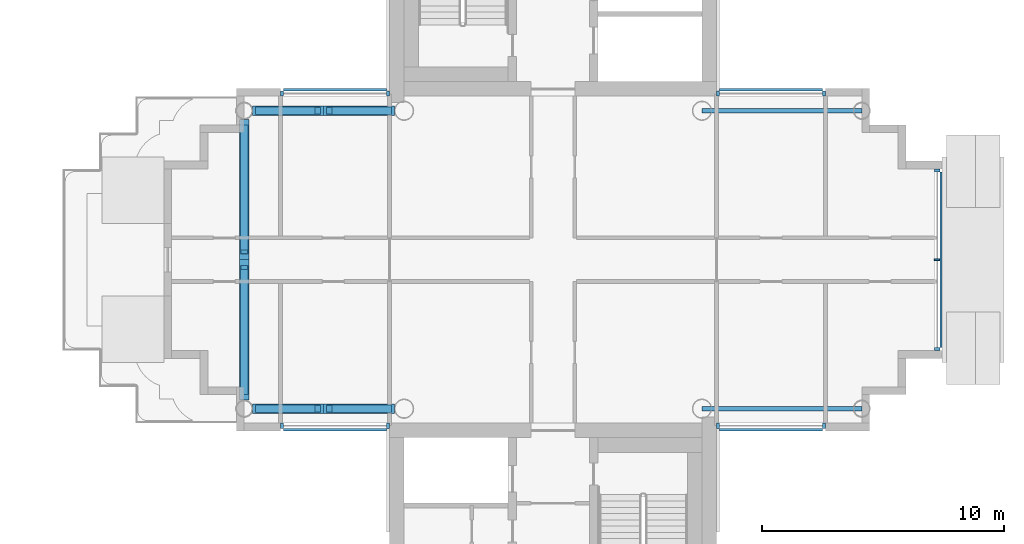
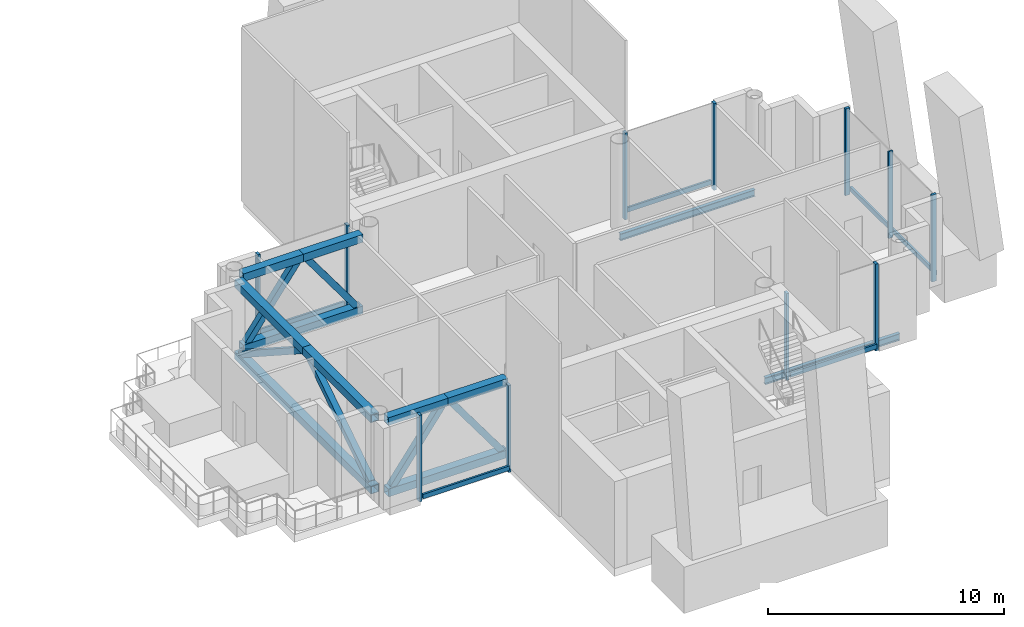
# One storey, part 4 of 16: 31 members, 2 beams, 5 elements without a shape of their own.
"""IFC4 building model written with IfcOpenShell, lengths in metres."""

from ifc_helpers import new_model, si_unit, direction, frame, origin, origin_2d, place, context, subcontext, project, spatial, rectangle, hollow_rectangle, i_section, extrude, material, layer, layer_set, material_profile, profile_set, type_object, element, aggregate, save


model = new_model("IFC4")

# Units and contexts
model_context = context("Model", 3, precision=1e-05, world=origin(), true_north=direction((0.0, 1.0)))
body_context = subcontext(model_context, "Body", "Model", "MODEL_VIEW")
ifc_project = project(units=[si_unit("LENGTHUNIT", "METRE"), si_unit("AREAUNIT", "SQUARE_METRE"), si_unit("VOLUMEUNIT", "CUBIC_METRE"), si_unit("PLANEANGLEUNIT", "RADIAN"), si_unit("MASSUNIT", "GRAM", prefix="KILO")], contexts=[model_context])

# Site, building, storey
site_placement = place(None, origin())
site = spatial("IfcSite", under=ifc_project, at=site_placement, CompositionType="ELEMENT")
building_placement = place(site_placement, origin())
building = spatial("IfcBuilding", under=site, at=building_placement, Name="Ipe Terrace Towers", CompositionType="ELEMENT")
storey_placement = place(building_placement, frame((0.0, 0.0, 233.39990234375)))
storey = spatial("IfcBuildingStorey", under=building, at=storey_placement, Name="L65", CompositionType="ELEMENT", Elevation=233.39990234375)

# Members
ifc_material_1 = material(Name="Steel S355", Category="steel")
ifc_material_profile_1 = material_profile(ifc_material_1, hollow_rectangle(XDim=0.300048828125, YDim=0.300048828125, WallThickness=0.01611328125, at=origin_2d()), Name="BELT-BRACE BOX 300x300x16")
ifc_profile_set_1 = profile_set([ifc_material_profile_1], Name="Steel S355")
member_type_1 = type_object("IfcMemberType", Name="BELT-BRACE BOX 300x300x16", PredefinedType="BRACE", material=ifc_profile_set_1)
member_1_placement = place(storey_placement, frame((29.212890625, -6.14990234375, 0.380126953125), z_axis=(-0.59160378791, 0.0, 0.806228849726), x_axis=(0.0, -1.0, 0.0)))
element("IfcMember", 1, at=member_1_placement, inside=storey, type_object=member_type_1, Name="T2-BT-L65-032 diagonal", PredefinedType="BRACE", context=body_context, shape_type="SweptSolid", body=[
    extrude(hollow_rectangle(XDim=0.300048828125, YDim=0.300048828125, WallThickness=0.01611328125, at=origin_2d()), origin(), (0.0, 0.0, 1.0), 4.142822265625),
])
member_2_placement = place(storey_placement, frame((23.8369140625, -6.14990234375, 0.380126953125), z_axis=(0.591642091056, 0.0, 0.806200741807), x_axis=(0.0, 1.0, 0.0)))
element("IfcMember", 2, at=member_2_placement, inside=storey, type_object=member_type_1, Name="T2-BT-L65-033 diagonal", PredefinedType="BRACE", context=body_context, shape_type="SweptSolid", body=[
    extrude(hollow_rectangle(XDim=0.300048828125, YDim=0.300048828125, WallThickness=0.01611328125, at=origin_2d()), origin(), (0.0, 0.0, 1.0), 4.14306640625),
])
member_3_placement = place(storey_placement, frame((29.212890625, 6.14990234375, 0.380126953125), z_axis=(-0.59160378791, 0.0, 0.806228849726), x_axis=(0.0, -1.0, 0.0)))
element("IfcMember", 3, at=member_3_placement, inside=storey, type_object=member_type_1, Name="T2-BT-L65-037 diagonal", PredefinedType="BRACE", context=body_context, shape_type="SweptSolid", body=[
    extrude(hollow_rectangle(XDim=0.300048828125, YDim=0.300048828125, WallThickness=0.01611328125, at=origin_2d()), origin(), (0.0, 0.0, 1.0), 4.142822265625),
])
member_4_placement = place(storey_placement, frame((23.8369140625, 6.14990234375, 0.380126953125), z_axis=(0.591642091056, 0.0, 0.806200741807), x_axis=(0.0, 1.0, 0.0)))
element("IfcMember", 4, at=member_4_placement, inside=storey, type_object=member_type_1, Name="T2-BT-L65-038 diagonal", PredefinedType="BRACE", context=body_context, shape_type="SweptSolid", body=[
    extrude(hollow_rectangle(XDim=0.300048828125, YDim=0.300048828125, WallThickness=0.01611328125, at=origin_2d()), origin(), (0.0, 0.0, 1.0), 4.14306640625),
])
for number, where, z_axis, x_axis, name in (
    (5, (23.25, 5.47900390625, 0.380126953125), (0.0, -0.839378237382, 0.543547766631), (1.0, 0.0, 0.0), "T2-BT-L65-042 diagonal"),
    (6, (23.25, -5.47900390625, 0.380126953125), (0.0, 0.839378237382, 0.543547766631), (-1.0, 0.0, 0.0), "T2-BT-L65-043 diagonal"),
):
    element("IfcMember", number, at=place(storey_placement, frame(where, z_axis=z_axis, x_axis=x_axis)), inside=storey, type_object=member_type_1, Name=name, PredefinedType="BRACE", context=body_context, shape_type="SweptSolid", body=[
        extrude(hollow_rectangle(XDim=0.300048828125, YDim=0.300048828125, WallThickness=0.01611328125, at=origin_2d()), origin(), (0.0, 0.0, 1.0), 6.14501953125),
    ])
ifc_material_2 = material(Name="Steel S355", Category="steel")
ifc_material_profile_2 = material_profile(ifc_material_2, hollow_rectangle(XDim=0.39990234375, YDim=0.39990234375, WallThickness=0.02001953125, at=origin_2d()), Name="BELT-CHORD BOX 400x400x20")
ifc_profile_set_2 = profile_set([ifc_material_profile_2], Name="Steel S355")
member_type_2 = type_object("IfcMemberType", Name="BELT-CHORD BOX 400x400x20", PredefinedType="CHORD", material=ifc_profile_set_2)
member_5_placement = place(storey_placement, frame((29.449951171875, -6.14990234375, 0.2001953125), z_axis=(-1.0, 0.0, 0.0), x_axis=(0.0, -1.0, 0.0)))
element("IfcMember", 7, at=member_5_placement, inside=storey, type_object=member_type_2, Name="T2-BT-L65-031 bottom chord", PredefinedType="CHORD", context=body_context, shape_type="SweptSolid", body=[
    extrude(hollow_rectangle(XDim=0.39990234375, YDim=0.39990234375, WallThickness=0.02001953125, at=origin_2d()), origin(), (0.0, 0.0, 1.0), 5.849853515625),
])
member_6_placement = place(storey_placement, frame((29.449951171875, -6.14990234375, 3.900146484375), z_axis=(-1.0, 0.0, 0.0), x_axis=(0.0, -1.0, 0.0)))
element("IfcMember", 8, at=member_6_placement, inside=storey, type_object=member_type_2, Name="T2-BT-L65-034 top chord", PredefinedType="CHORD", context=body_context, shape_type="SweptSolid", body=[
    extrude(hollow_rectangle(XDim=0.39990234375, YDim=0.39990234375, WallThickness=0.02001953125, at=origin_2d()), origin(), (0.0, 0.0, 1.0), 2.925048828125),
])
member_7_placement = place(storey_placement, frame((26.52490234375, -6.14990234375, 3.900146484375), z_axis=(-1.0, 0.0, 0.0), x_axis=(0.0, -1.0, 0.0)))
element("IfcMember", 9, at=member_7_placement, inside=storey, type_object=member_type_2, Name="T2-BT-L65-035 top chord", PredefinedType="CHORD", context=body_context, shape_type="SweptSolid", body=[
    extrude(hollow_rectangle(XDim=0.39990234375, YDim=0.39990234375, WallThickness=0.02001953125, at=origin_2d()), origin(), (0.0, 0.0, 1.0), 2.9248046875),
])
member_8_placement = place(storey_placement, frame((29.449951171875, 6.14990234375, 0.2001953125), z_axis=(-1.0, 0.0, 0.0), x_axis=(0.0, -1.0, 0.0)))
element("IfcMember", 10, at=member_8_placement, inside=storey, type_object=member_type_2, Name="T2-BT-L65-036 bottom chord", PredefinedType="CHORD", context=body_context, shape_type="SweptSolid", body=[
    extrude(hollow_rectangle(XDim=0.39990234375, YDim=0.39990234375, WallThickness=0.02001953125, at=origin_2d()), origin(), (0.0, 0.0, 1.0), 5.849853515625),
])
member_9_placement = place(storey_placement, frame((29.449951171875, 6.14990234375, 3.900146484375), z_axis=(-1.0, 0.0, 0.0), x_axis=(0.0, -1.0, 0.0)))
element("IfcMember", 11, at=member_9_placement, inside=storey, type_object=member_type_2, Name="T2-BT-L65-039 top chord", PredefinedType="CHORD", context=body_context, shape_type="SweptSolid", body=[
    extrude(hollow_rectangle(XDim=0.39990234375, YDim=0.39990234375, WallThickness=0.02001953125, at=origin_2d()), origin(), (0.0, 0.0, 1.0), 2.925048828125),
])
member_10_placement = place(storey_placement, frame((26.52490234375, 6.14990234375, 3.900146484375), z_axis=(-1.0, 0.0, 0.0), x_axis=(0.0, -1.0, 0.0)))
element("IfcMember", 12, at=member_10_placement, inside=storey, type_object=member_type_2, Name="T2-BT-L65-040 top chord", PredefinedType="CHORD", context=body_context, shape_type="SweptSolid", body=[
    extrude(hollow_rectangle(XDim=0.39990234375, YDim=0.39990234375, WallThickness=0.02001953125, at=origin_2d()), origin(), (0.0, 0.0, 1.0), 2.9248046875),
])
member_11_placement = place(storey_placement, frame((23.25, 5.800048828125, 0.2001953125), z_axis=(0.0, -1.0, 0.0), x_axis=(1.0, 0.0, 0.0)))
element("IfcMember", 13, at=member_11_placement, inside=storey, type_object=member_type_2, Name="T2-BT-L65-041 bottom chord", PredefinedType="CHORD", context=body_context, shape_type="SweptSolid", body=[
    extrude(hollow_rectangle(XDim=0.39990234375, YDim=0.39990234375, WallThickness=0.02001953125, at=origin_2d()), origin(), (0.0, 0.0, 1.0), 11.60009765625),
])
for number, where, z_axis, x_axis, name in (
    (14, (23.25, 5.800048828125, 3.900146484375), (0.0, -1.0, 0.0), (1.0, 0.0, 0.0), "T2-BT-L65-044 top chord"),
    (15, (23.25, 0.0, 3.900146484375), (0.0, -1.0, 0.0), (1.0, 0.0, 0.0), "T2-BT-L65-045 top chord"),
):
    element("IfcMember", number, at=place(storey_placement, frame(where, z_axis=z_axis, x_axis=x_axis)), inside=storey, type_object=member_type_2, Name=name, PredefinedType="CHORD", context=body_context, shape_type="SweptSolid", body=[
        extrude(hollow_rectangle(XDim=0.39990234375, YDim=0.39990234375, WallThickness=0.02001953125, at=origin_2d()), origin(), (0.0, 0.0, 1.0), 5.800048828125),
    ])

# Beams
ifc_material_3 = material(Name="Steel S355", Category="steel")
ifc_material_profile_3 = material_profile(ifc_material_3, i_section(OverallWidth=0.175048828125, OverallDepth=0.35009765625, WebThickness=0.007080078125, FlangeThickness=0.010986328125, at=origin_2d()), Name="H-350x175x7x11")
ifc_profile_set_3 = profile_set([ifc_material_profile_3], Name="Steel S355")
beam_type = type_object("IfcBeamType", Name="H04 EDGE BEAM H-350x175x7x11", PredefinedType="BEAM", material=ifc_profile_set_3)
for number, where, z_axis, x_axis, name in (
    (16, (48.75, -6.14990234375, -0.574951171875), (-1.0, 0.0, 0.0), (0.0, -1.0, 0.0), "Edge beam T2-EB-D01-E01"),
    (17, (48.75, 6.14990234375, -0.574951171875), (-1.0, 0.0, 0.0), (0.0, -1.0, 0.0), "Edge beam T2-EB-D02-E02"),
):
    element("IfcBeam", number, at=place(storey_placement, frame(where, z_axis=z_axis, x_axis=x_axis)), inside=storey, type_object=beam_type, Name=name, PredefinedType="BEAM", context=body_context, shape_type="SweptSolid", body=[
        extrude(i_section(OverallWidth=0.175048828125, OverallDepth=0.35009765625, WebThickness=0.007080078125, FlangeThickness=0.010986328125, at=origin_2d()), origin(), (0.0, 0.0, 1.0), 6.60009765625),
    ])

# Curtain wall, members
ifc_material_4 = material(Name="Aluminium alloy 6063-T6", Category="aluminium")
ifc_layer = layer(ifc_material_4, 0.320068359375)
ifc_layer_set = layer_set([ifc_layer], Name="PLANT LOUVRE CURTAIN WALL")
curtain_wall_type = type_object("IfcCurtainWallType", Name="PLANT LOUVRE CURTAIN WALL", PredefinedType="NOTDEFINED", material=ifc_layer_set)
curtain_wall_1_placement = place(storey_placement, origin())
curtain_wall_1 = element("IfcCurtainWall", 18, at=curtain_wall_1_placement, inside=storey, type_object=curtain_wall_type, Name="T2-CW-L65-02a curtain wall", PredefinedType="NOTDEFINED")
ifc_material_5 = material(Name="Aluminium alloy 6063-T6", Category="aluminium")
ifc_material_profile_4 = material_profile(ifc_material_5, rectangle(XDim=0.219970703125, YDim=0.1298828125, at=origin_2d()), Name="PLANT LOUVRE CORNER MULLION 220 x 130")
ifc_profile_set_4 = profile_set([ifc_material_profile_4], Name="Aluminium alloy 6063-T6")
member_type_3 = type_object("IfcMemberType", Name="PLANT LOUVRE CORNER MULLION 220 x 130", PredefinedType="MULLION", material=ifc_profile_set_4)
member_12_placement = place(storey_placement, frame((42.81494140625, -6.860107421875, -0.2998046875), z_axis=(0.0, 0.0, 1.0), x_axis=(0.0, -1.0, 0.0)))
member_12 = element("IfcMember", 19, at=member_12_placement, type_object=member_type_3, Name="T2-CW-L65-02a mullion 1", PredefinedType="MULLION", context=body_context, shape_type="SweptSolid", body=[
    extrude(rectangle(XDim=0.219970703125, YDim=0.1298828125, at=origin_2d()), origin(), (0.0, 0.0, 1.0), 4.5),
])
member_13_placement = place(storey_placement, frame((47.18505859375, -6.860107421875, -0.2998046875), z_axis=(0.0, 0.0, 1.0), x_axis=(0.0, -1.0, 0.0)))
member_13 = element("IfcMember", 20, at=member_13_placement, type_object=member_type_3, Name="T2-CW-L65-02a mullion 2", PredefinedType="MULLION", context=body_context, shape_type="SweptSolid", body=[
    extrude(rectangle(XDim=0.219970703125, YDim=0.1298828125, at=origin_2d()), origin(), (0.0, 0.0, 1.0), 4.5),
])

curtain_wall_2_placement = place(storey_placement, origin())
curtain_wall_2 = element("IfcCurtainWall", 21, at=curtain_wall_2_placement, inside=storey, type_object=curtain_wall_type, Name="T2-CW-L65-08a curtain wall", PredefinedType="NOTDEFINED")
member_14_placement = place(storey_placement, frame((51.860107421875, -3.68505859375, -0.2998046875), z_axis=(0.0, 0.0, 1.0), x_axis=(1.0, 0.0, 0.0)))
member_14 = element("IfcMember", 22, at=member_14_placement, type_object=member_type_3, Name="T2-CW-L65-08a mullion 1", PredefinedType="MULLION", context=body_context, shape_type="SweptSolid", body=[
    extrude(rectangle(XDim=0.219970703125, YDim=0.1298828125, at=origin_2d()), origin(), (0.0, 0.0, 1.0), 4.5),
])
member_15_placement = place(storey_placement, frame((51.860107421875, 3.68505859375, -0.2998046875), z_axis=(0.0, 0.0, 1.0), x_axis=(1.0, 0.0, 0.0)))
member_15 = element("IfcMember", 23, at=member_15_placement, type_object=member_type_3, Name="T2-CW-L65-08a mullion 3", PredefinedType="MULLION", context=body_context, shape_type="SweptSolid", body=[
    extrude(rectangle(XDim=0.219970703125, YDim=0.1298828125, at=origin_2d()), origin(), (0.0, 0.0, 1.0), 4.5),
])

curtain_wall_3_placement = place(storey_placement, origin())
curtain_wall_3 = element("IfcCurtainWall", 24, at=curtain_wall_3_placement, inside=storey, type_object=curtain_wall_type, Name="T2-CW-L65-14a curtain wall", PredefinedType="NOTDEFINED")
member_16_placement = place(storey_placement, frame((47.18505859375, 6.860107421875, -0.2998046875), z_axis=(0.0, 0.0, 1.0), x_axis=(0.0, 1.0, 0.0)))
member_16 = element("IfcMember", 25, at=member_16_placement, type_object=member_type_3, Name="T2-CW-L65-14a mullion 1", PredefinedType="MULLION", context=body_context, shape_type="SweptSolid", body=[
    extrude(rectangle(XDim=0.219970703125, YDim=0.1298828125, at=origin_2d()), origin(), (0.0, 0.0, 1.0), 4.5),
])
member_17_placement = place(storey_placement, frame((42.81494140625, 6.860107421875, -0.2998046875), z_axis=(0.0, 0.0, 1.0), x_axis=(0.0, 1.0, 0.0)))
member_17 = element("IfcMember", 26, at=member_17_placement, type_object=member_type_3, Name="T2-CW-L65-14a mullion 2", PredefinedType="MULLION", context=body_context, shape_type="SweptSolid", body=[
    extrude(rectangle(XDim=0.219970703125, YDim=0.1298828125, at=origin_2d()), origin(), (0.0, 0.0, 1.0), 4.5),
])

curtain_wall_4_placement = place(storey_placement, origin())
curtain_wall_4 = element("IfcCurtainWall", 27, at=curtain_wall_4_placement, inside=storey, type_object=curtain_wall_type, Name="T2-CW-L65-20a curtain wall", PredefinedType="NOTDEFINED")
member_18_placement = place(storey_placement, frame((29.18505859375, 6.860107421875, -0.2998046875), z_axis=(0.0, 0.0, 1.0), x_axis=(0.0, 1.0, 0.0)))
member_18 = element("IfcMember", 28, at=member_18_placement, type_object=member_type_3, Name="T2-CW-L65-20a mullion 1", PredefinedType="MULLION", context=body_context, shape_type="SweptSolid", body=[
    extrude(rectangle(XDim=0.219970703125, YDim=0.1298828125, at=origin_2d()), origin(), (0.0, 0.0, 1.0), 4.5),
])
member_19_placement = place(storey_placement, frame((24.81494140625, 6.860107421875, -0.2998046875), z_axis=(0.0, 0.0, 1.0), x_axis=(0.0, 1.0, 0.0)))
member_19 = element("IfcMember", 29, at=member_19_placement, type_object=member_type_3, Name="T2-CW-L65-20a mullion 2", PredefinedType="MULLION", context=body_context, shape_type="SweptSolid", body=[
    extrude(rectangle(XDim=0.219970703125, YDim=0.1298828125, at=origin_2d()), origin(), (0.0, 0.0, 1.0), 4.5),
])

curtain_wall_5_placement = place(storey_placement, origin())
curtain_wall_5 = element("IfcCurtainWall", 30, at=curtain_wall_5_placement, inside=storey, type_object=curtain_wall_type, Name="T2-CW-L65-32a curtain wall", PredefinedType="NOTDEFINED")
member_20_placement = place(storey_placement, frame((24.81494140625, -6.860107421875, -0.2998046875), z_axis=(0.0, 0.0, 1.0), x_axis=(0.0, -1.0, 0.0)))
member_20 = element("IfcMember", 31, at=member_20_placement, type_object=member_type_3, Name="T2-CW-L65-32a mullion 1", PredefinedType="MULLION", context=body_context, shape_type="SweptSolid", body=[
    extrude(rectangle(XDim=0.219970703125, YDim=0.1298828125, at=origin_2d()), origin(), (0.0, 0.0, 1.0), 4.5),
])
member_21_placement = place(storey_placement, frame((29.18505859375, -6.860107421875, -0.2998046875), z_axis=(0.0, 0.0, 1.0), x_axis=(0.0, -1.0, 0.0)))
member_21 = element("IfcMember", 32, at=member_21_placement, type_object=member_type_3, Name="T2-CW-L65-32a mullion 2", PredefinedType="MULLION", context=body_context, shape_type="SweptSolid", body=[
    extrude(rectangle(XDim=0.219970703125, YDim=0.1298828125, at=origin_2d()), origin(), (0.0, 0.0, 1.0), 4.5),
])

# Member
ifc_material_6 = material(Name="Aluminium alloy 6063-T6", Category="aluminium")
ifc_material_profile_5 = material_profile(ifc_material_6, rectangle(XDim=0.219970703125, YDim=0.070068359375, at=origin_2d()), Name="PLANT LOUVRE MULLION 220 x 70")
ifc_profile_set_5 = profile_set([ifc_material_profile_5], Name="Aluminium alloy 6063-T6")
member_type_4 = type_object("IfcMemberType", Name="PLANT LOUVRE MULLION 220 x 70", PredefinedType="MULLION", material=ifc_profile_set_5)
member_22_placement = place(storey_placement, frame((51.860107421875, 0.0, -0.2998046875), z_axis=(0.0, 0.0, 1.0), x_axis=(1.0, 0.0, 0.0)))
member_22 = element("IfcMember", 33, at=member_22_placement, type_object=member_type_4, Name="T2-CW-L65-08a mullion 2", PredefinedType="MULLION", context=body_context, shape_type="SweptSolid", body=[
    extrude(rectangle(XDim=0.219970703125, YDim=0.070068359375, at=origin_2d()), origin(), (0.0, 0.0, 1.0), 4.5),
])

ifc_material_7 = material(Name="Aluminium alloy 6063-T6", Category="aluminium")
ifc_material_profile_6 = material_profile(ifc_material_7, rectangle(XDim=0.10009765625, YDim=0.239990234375, at=origin_2d()), Name="PLANT LOUVRE TRANSOM 100 x 240")
ifc_profile_set_6 = profile_set([ifc_material_profile_6], Name="Aluminium alloy 6063-T6")
member_type_5 = type_object("IfcMemberType", Name="PLANT LOUVRE TRANSOM 100 x 240", PredefinedType="USERDEFINED", material=ifc_profile_set_6)
member_23_placement = place(storey_placement, frame((42.8798828125, -7.02001953125, 0.0), z_axis=(1.0, 0.0, 0.0), x_axis=(0.0, -1.0, 0.0)))
member_23 = element("IfcMember", 34, at=member_23_placement, type_object=member_type_5, Name="T2-CW-L65-02a transom", ObjectType="TRANSOM", PredefinedType="USERDEFINED", context=body_context, shape_type="SweptSolid", body=[
    extrude(rectangle(XDim=0.10009765625, YDim=0.239990234375, at=origin_2d()), origin(), (0.0, 0.0, 1.0), 4.240234375),
])

aggregate(curtain_wall_1, [member_12, member_13, member_23])

member_24_placement = place(storey_placement, frame((52.02001953125, -3.6201171875, 0.0), z_axis=(0.0, 1.0, 0.0), x_axis=(1.0, 0.0, 0.0)))
member_24 = element("IfcMember", 35, at=member_24_placement, type_object=member_type_5, Name="T2-CW-L65-08a transom", ObjectType="TRANSOM", PredefinedType="USERDEFINED", context=body_context, shape_type="SweptSolid", body=[
    extrude(rectangle(XDim=0.10009765625, YDim=0.239990234375, at=origin_2d()), origin(), (0.0, 0.0, 1.0), 7.240234375),
])

aggregate(curtain_wall_2, [member_14, member_22, member_15, member_24])

member_25_placement = place(storey_placement, frame((47.1201171875, 7.02001953125, 0.0), z_axis=(-1.0, 0.0, 0.0), x_axis=(0.0, 1.0, 0.0)))
member_25 = element("IfcMember", 36, at=member_25_placement, type_object=member_type_5, Name="T2-CW-L65-14a transom", ObjectType="TRANSOM", PredefinedType="USERDEFINED", context=body_context, shape_type="SweptSolid", body=[
    extrude(rectangle(XDim=0.10009765625, YDim=0.239990234375, at=origin_2d()), origin(), (0.0, 0.0, 1.0), 4.240234375),
])

aggregate(curtain_wall_3, [member_16, member_17, member_25])

member_26_placement = place(storey_placement, frame((29.1201171875, 7.02001953125, 0.0), z_axis=(-1.0, 0.0, 0.0), x_axis=(0.0, 1.0, 0.0)))
member_26 = element("IfcMember", 37, at=member_26_placement, type_object=member_type_5, Name="T2-CW-L65-20a transom", ObjectType="TRANSOM", PredefinedType="USERDEFINED", context=body_context, shape_type="SweptSolid", body=[
    extrude(rectangle(XDim=0.10009765625, YDim=0.239990234375, at=origin_2d()), origin(), (0.0, 0.0, 1.0), 4.240234375),
])

aggregate(curtain_wall_4, [member_18, member_19, member_26])

member_27_placement = place(storey_placement, frame((24.8798828125, -7.02001953125, 0.0), z_axis=(1.0, 0.0, 0.0), x_axis=(0.0, -1.0, 0.0)))
member_27 = element("IfcMember", 38, at=member_27_placement, type_object=member_type_5, Name="T2-CW-L65-32a transom", ObjectType="TRANSOM", PredefinedType="USERDEFINED", context=body_context, shape_type="SweptSolid", body=[
    extrude(rectangle(XDim=0.10009765625, YDim=0.239990234375, at=origin_2d()), origin(), (0.0, 0.0, 1.0), 4.240234375),
])

aggregate(curtain_wall_5, [member_20, member_21, member_27])

save(model, "model.ifc")
